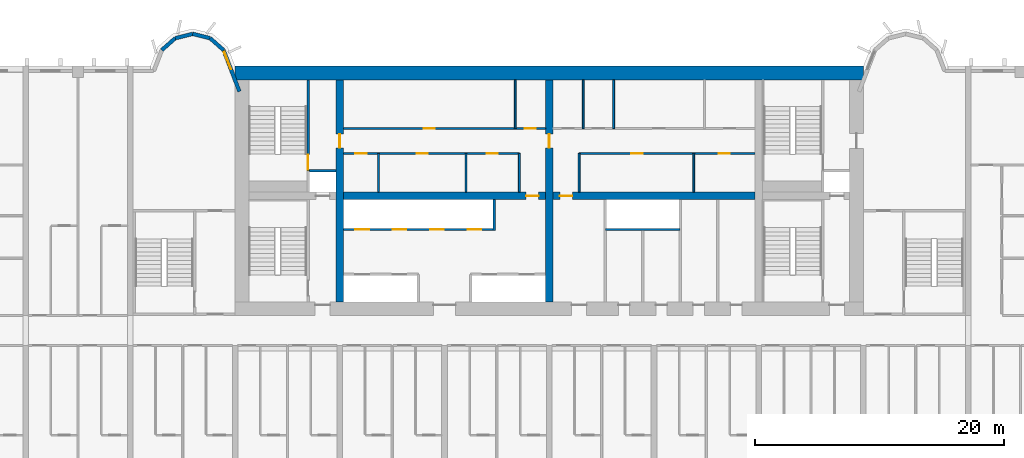
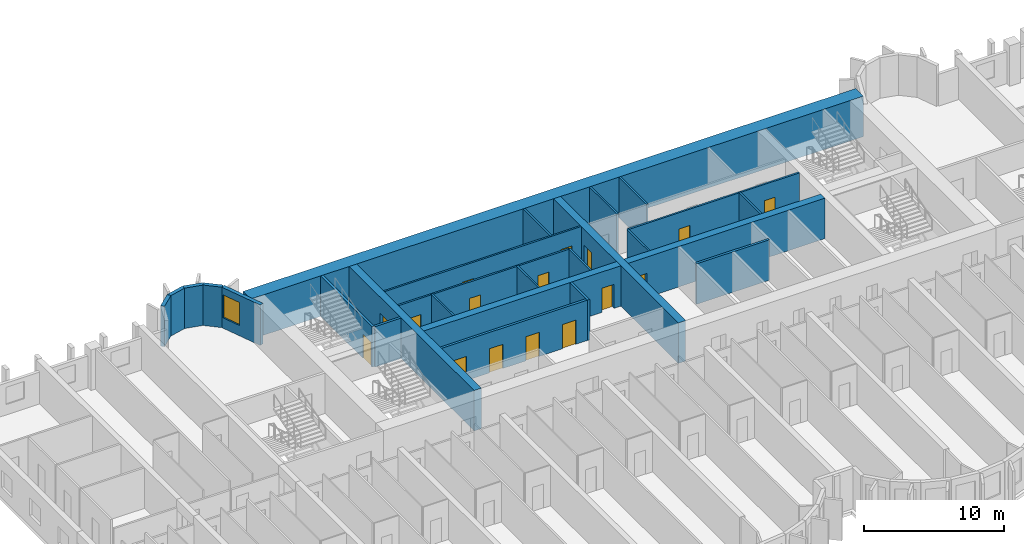
# One storey, part 7 of 15: 26 walls, 16 doors, 1 window, 17 openings.
"""IFC4 building model written with IfcOpenShell, lengths in metres."""

from ifc_helpers import new_model, si_unit, direction, frame, frame_2d, origin, place, context, subcontext, project, spatial, rectangle, extrude, source, transform, mapped, material, layer, layer_set, type_object, element, fill, save


model = new_model("IFC4")

# Units and contexts
model_context = context("Model", 3, precision=1e-05, world=origin(), true_north=direction((0.0, 1.0)))
body_context = subcontext(model_context, "Body", "Model", "MODEL_VIEW")
ifc_project = project(units=[si_unit("LENGTHUNIT", "METRE"), si_unit("AREAUNIT", "SQUARE_METRE"), si_unit("VOLUMEUNIT", "CUBIC_METRE"), si_unit("PLANEANGLEUNIT", "RADIAN"), si_unit("MASSUNIT", "GRAM", prefix="KILO")], contexts=[model_context])

# Site, building, storey
site_placement = place(None, origin())
site = spatial("IfcSite", under=ifc_project, at=site_placement, CompositionType="ELEMENT")
building_placement = place(site_placement, origin())
building = spatial("IfcBuilding", under=site, at=building_placement, Name="Vanashikhar Sky Hotel", CompositionType="ELEMENT")
storey_placement = place(building_placement, frame((0.0, 0.0, 35.39990234375)))
storey = spatial("IfcBuildingStorey", under=building, at=storey_placement, Name="L07", CompositionType="ELEMENT", Elevation=35.39990234375)

# Wall
ifc_material_1 = material(Name="Concrete M80", Category="concrete")
ifc_layer_1 = layer(ifc_material_1, 1.10009765625)
ifc_layer_set_1 = layer_set([ifc_layer_1], Name="RC core shell wall 1100 Concrete M80")
wall_type_1 = type_object("IfcWallType", Name="RC core shell wall 1100 Concrete M80", PredefinedType="SHEAR", material=ifc_layer_set_1)
shared_shape_1 = source(origin(), body_context, "Body", "SweptSolid", [
    extrude(rectangle(XDim=50.400146484375, YDim=1.10009765625, at=frame_2d((25.2001953125, 0.0))), origin(), (0.0, 0.0, 1.0), 3.52001953125),
])
wall_1_placement = place(storey_placement, frame((25.199951171875, 41.449951171875, 0.0), z_axis=(0.0, 0.0, 1.0), x_axis=(1.0, 0.0, 0.0)))
element("IfcWall", 1, at=wall_1_placement, inside=storey, type_object=wall_type_1, Name="KW-L07-KN", PredefinedType="SHEAR", context=body_context, shape_type="MappedRepresentation", body=[
    mapped(shared_shape_1, transform((0.0, 0.0, 0.0), scale=1.0)),
])

# Wall, opening, door
ifc_layer_2 = layer(ifc_material_1, 0.60009765625)
ifc_layer_set_2 = layer_set([ifc_layer_2], Name="RC core inner wall 600 Concrete M80")
wall_type_2 = type_object("IfcWallType", Name="RC core inner wall 600 Concrete M80", PredefinedType="SHEAR", material=ifc_layer_set_2)
shared_shape_2 = source(origin(), body_context, "Body", "SweptSolid", [
    extrude(rectangle(XDim=17.7998046875, YDim=0.60009765625, at=frame_2d((8.89990234375, 0.0))), origin(), (0.0, 0.0, 1.0), 3.52001953125),
])
wall_2_placement = place(storey_placement, frame((33.60009765625, 23.10009765625, 0.0), z_axis=(0.0, 0.0, 1.0), x_axis=(0.0, 1.0, 0.0)))
wall_2 = element("IfcWall", 2, at=wall_2_placement, inside=storey, type_object=wall_type_2, Name="KW-L07-KX1", PredefinedType="SHEAR", context=body_context, shape_type="MappedRepresentation", body=[
    mapped(shared_shape_2, transform((0.0, 0.0, 0.0), scale=1.0)),
])
shared_shape_3 = source(origin(), body_context, "Body", "SweptSolid", [
    extrude(rectangle(XDim=1.10009765625, YDim=2.10009765625, at=frame_2d((0.550048828125, 1.050048828125))), frame((0.0, 0.31005859375, 0.0), z_axis=(0.0, -1.0, 0.0), x_axis=(1.0, 0.0, 0.0)), (0.0, 0.0, 1.0), 0.6201171875),
])
opening_1_placement = place(wall_2_placement, frame((12.35009765625, 0.0, 0.0)))
opening_1 = element("IfcOpeningElement", 3, at=opening_1_placement, cuts=wall_2, Name="Opening DC-4-C", PredefinedType="OPENING", context=body_context, shape_type="MappedRepresentation", body=[
    mapped(shared_shape_3, transform((0.0, 0.0, 0.0), scale=1.0)),
])
ifc_material_2 = material(Name="Steel", Category="steel")
door_type_1 = type_object("IfcDoorType", Name="Service door 1100 FD60", OperationType="NOTDEFINED", PredefinedType="DOOR", material=ifc_material_2)
shared_shape_4 = source(origin(), body_context, "Body", "SweptSolid", [
    extrude(rectangle(XDim=1.10009765625, YDim=2.10009765625, at=frame_2d((0.550048828125, 1.050048828125))), frame((0.0, 0.02490234375, 0.0), z_axis=(0.0, -1.0, 0.0), x_axis=(1.0, 0.0, 0.0)), (0.0, 0.0, 1.0), 0.050048828125),
])
door_1_placement = place(opening_1_placement, origin())
door_1 = element("IfcDoor", 4, at=door_1_placement, inside=storey, type_object=door_type_1, Name="Service door 1100 FD60", OperationType="SINGLE_SWING_LEFT", OverallHeight=2.10009765625, OverallWidth=1.10009765625, PredefinedType="DOOR", context=body_context, shape_type="MappedRepresentation", body=[
    mapped(shared_shape_4, transform((0.0, 0.0, 0.0), scale=1.0)),
])
fill(opening_1, door_1)

wall_3_placement = place(storey_placement, frame((50.39990234375, 23.10009765625, 0.0), z_axis=(0.0, 0.0, 1.0), x_axis=(0.0, 1.0, 0.0)))
wall_3 = element("IfcWall", 5, at=wall_3_placement, inside=storey, type_object=wall_type_2, Name="KW-L07-KX2", PredefinedType="SHEAR", context=body_context, shape_type="MappedRepresentation", body=[
    mapped(shared_shape_2, transform((0.0, 0.0, 0.0), scale=1.0)),
])
opening_2_placement = place(wall_3_placement, frame((12.35009765625, 0.0, 0.0)))
opening_2 = element("IfcOpeningElement", 6, at=opening_2_placement, cuts=wall_3, Name="Opening DC-4-C", PredefinedType="OPENING", context=body_context, shape_type="MappedRepresentation", body=[
    mapped(shared_shape_3, transform((0.0, 0.0, 0.0), scale=1.0)),
])
door_2_placement = place(opening_2_placement, origin())
door_2 = element("IfcDoor", 7, at=door_2_placement, inside=storey, type_object=door_type_1, Name="Service door 1100 FD60", OperationType="SINGLE_SWING_RIGHT", OverallHeight=2.10009765625, OverallWidth=1.10009765625, PredefinedType="DOOR", context=body_context, shape_type="MappedRepresentation", body=[
    mapped(shared_shape_4, transform((0.0, 0.0, 0.0), scale=1.0)),
])
fill(opening_2, door_2)

shared_shape_5 = source(origin(), body_context, "Body", "SweptSolid", [
    extrude(rectangle(XDim=16.2001953125, YDim=0.60009765625, at=frame_2d((8.10009765625, 0.0))), origin(), (0.0, 0.0, 1.0), 3.52001953125),
])
wall_4_placement = place(storey_placement, frame((33.89990234375, 31.60009765625, 0.0), z_axis=(0.0, 0.0, 1.0), x_axis=(1.0, 0.0, 0.0)))
wall_4 = element("IfcWall", 8, at=wall_4_placement, inside=storey, type_object=wall_type_2, Name="KW-L07-KY2", PredefinedType="SHEAR", context=body_context, shape_type="MappedRepresentation", body=[
    mapped(shared_shape_5, transform((0.0, 0.0, 0.0), scale=1.0)),
])
shared_shape_6 = source(origin(), body_context, "Body", "SweptSolid", [
    extrude(rectangle(XDim=1.0, YDim=2.10009765625, at=frame_2d((0.5, 1.050048828125))), frame((0.0, 0.31005859375, 0.0), z_axis=(0.0, -1.0, 0.0), x_axis=(1.0, 0.0, 0.0)), (0.0, 0.0, 1.0), 0.6201171875),
])
opening_3_placement = place(wall_4_placement, frame((14.64990234375, 0.0, 0.0)))
opening_3 = element("IfcOpeningElement", 9, at=opening_3_placement, cuts=wall_4, Name="Opening DC-4", PredefinedType="OPENING", context=body_context, shape_type="MappedRepresentation", body=[
    mapped(shared_shape_6, transform((0.0, 0.0, 0.0), scale=1.0)),
])
door_type_2 = type_object("IfcDoorType", Name="Service door 1000 FD60", OperationType="NOTDEFINED", PredefinedType="DOOR", material=ifc_material_2)
shared_shape_7 = source(origin(), body_context, "Body", "SweptSolid", [
    extrude(rectangle(XDim=1.0, YDim=2.10009765625, at=frame_2d((0.5, 1.050048828125))), frame((0.0, 0.02490234375, 0.0), z_axis=(0.0, -1.0, 0.0), x_axis=(1.0, 0.0, 0.0)), (0.0, 0.0, 1.0), 0.050048828125),
])
door_3_placement = place(opening_3_placement, origin())
door_3 = element("IfcDoor", 10, at=door_3_placement, inside=storey, type_object=door_type_2, Name="Service door 1000 FD60", OperationType="SINGLE_SWING_RIGHT", OverallHeight=2.10009765625, OverallWidth=1.0, PredefinedType="DOOR", context=body_context, shape_type="MappedRepresentation", body=[
    mapped(shared_shape_7, transform((0.0, 0.0, 0.0), scale=1.0)),
])
fill(opening_3, door_3)

shared_shape_8 = source(origin(), body_context, "Body", "SweptSolid", [
    extrude(rectangle(XDim=16.199951171875, YDim=0.60009765625, at=frame_2d((8.10009765625, 0.0))), origin(), (0.0, 0.0, 1.0), 3.52001953125),
])
wall_5_placement = place(storey_placement, frame((50.699951171875, 31.60009765625, 0.0), z_axis=(0.0, 0.0, 1.0), x_axis=(1.0, 0.0, 0.0)))
wall_5 = element("IfcWall", 11, at=wall_5_placement, inside=storey, type_object=wall_type_2, Name="KW-L07-KY3", PredefinedType="SHEAR", context=body_context, shape_type="MappedRepresentation", body=[
    mapped(shared_shape_8, transform((0.0, 0.0, 0.0), scale=1.0)),
])
opening_4_placement = place(wall_5_placement, frame((0.550048828125, 0.0, 0.0)))
opening_4 = element("IfcOpeningElement", 12, at=opening_4_placement, cuts=wall_5, Name="Opening DC-4", PredefinedType="OPENING", context=body_context, shape_type="MappedRepresentation", body=[
    mapped(shared_shape_6, transform((0.0, 0.0, 0.0), scale=1.0)),
])
door_4_placement = place(opening_4_placement, origin())
door_4 = element("IfcDoor", 13, at=door_4_placement, inside=storey, type_object=door_type_2, Name="Service door 1000 FD60", OperationType="SINGLE_SWING_LEFT", OverallHeight=2.10009765625, OverallWidth=1.0, PredefinedType="DOOR", context=body_context, shape_type="MappedRepresentation", body=[
    mapped(shared_shape_7, transform((0.0, 0.0, 0.0), scale=1.0)),
])
fill(opening_4, door_4)

# Wall, opening, window
ifc_material_3 = material(Name="Concrete M50", Category="concrete")
ifc_layer_3 = layer(ifc_material_3, 0.300048828125)
ifc_layer_set_3 = layer_set([ifc_layer_3], Name="Lobe wall 300")
wall_type_3 = type_object("IfcWallType", Name="Lobe wall 300", PredefinedType="SOLIDWALL", material=ifc_layer_set_3)
shared_shape_9 = source(origin(), body_context, "Body", "SweptSolid", [
    extrude(rectangle(XDim=3.55908203125, YDim=0.300048828125, at=frame_2d((1.779541015625, 0.0))), origin(), (0.0, 0.0, 1.0), 3.52001953125),
])
wall_6_placement = place(storey_placement, frame((25.550048828125, 39.968505859375, 0.0), z_axis=(0.0, 0.0, 1.0), x_axis=(-0.35779745313, 0.933799219604, 0.0)))
wall_6 = element("IfcWall", 14, at=wall_6_placement, inside=storey, type_object=wall_type_3, Name="Lobe wall", PredefinedType="SOLIDWALL", context=body_context, shape_type="MappedRepresentation", body=[
    mapped(shared_shape_9, transform((0.0, 0.0, 0.0), scale=1.0)),
])
shared_shape_10 = source(origin(), body_context, "Body", "SweptSolid", [
    extrude(rectangle(XDim=1.5, YDim=2.0, at=frame_2d((0.75, 1.0))), frame((0.0, 0.16015625, 0.0), z_axis=(0.0, -1.0, 0.0), x_axis=(1.0, 0.0, 0.0)), (0.0, 0.0, 1.0), 0.320068359375),
])
opening_5_placement = place(wall_6_placement, frame((1.9033203125, 0.0, 0.89990234375)))
opening_5 = element("IfcOpeningElement", 15, at=opening_5_placement, cuts=wall_6, Name="Opening WN-2", PredefinedType="OPENING", context=body_context, shape_type="MappedRepresentation", body=[
    mapped(shared_shape_10, transform((0.0, 0.0, 0.0), scale=1.0)),
])
ifc_material_4 = material(Name="Glass", Category="glass")
window_type = type_object("IfcWindowType", Name="Lobe window 1500 x 2000", PartitioningType="SINGLE_PANEL", PredefinedType="WINDOW", material=ifc_material_4)
shared_shape_11 = source(origin(), body_context, "Body", "SweptSolid", [
    extrude(rectangle(XDim=1.5, YDim=2.0, at=frame_2d((0.75, 1.0))), frame((0.0, 0.030029296875, 0.0), z_axis=(0.0, -1.0, 0.0), x_axis=(1.0, 0.0, 0.0)), (0.0, 0.0, 1.0), 0.06005859375),
])
window_placement = place(opening_5_placement, origin())
window = element("IfcWindow", 16, at=window_placement, inside=storey, type_object=window_type, Name="Window WN-2", OverallHeight=2.0, OverallWidth=1.5, PartitioningType="SINGLE_PANEL", PredefinedType="WINDOW", context=body_context, shape_type="MappedRepresentation", body=[
    mapped(shared_shape_11, transform((0.0, 0.0, 0.0), scale=1.0)),
])
fill(opening_5, window)

# Walls
shared_shape_12 = source(origin(), body_context, "Body", "SweptSolid", [
    extrude(rectangle(XDim=1.440185546875, YDim=0.300048828125, at=frame_2d((0.72021484375, 0.0))), origin(), (0.0, 0.0, 1.0), 3.52001953125),
])
wall_7_placement = place(storey_placement, frame((24.276611328125, 43.2919921875, 0.0), z_axis=(0.0, 0.0, 1.0), x_axis=(-0.749649827867, 0.661834673902, 0.0)))
element("IfcWall", 17, at=wall_7_placement, inside=storey, type_object=wall_type_3, Name="Lobe wall", PredefinedType="SOLIDWALL", context=body_context, shape_type="MappedRepresentation", body=[
    mapped(shared_shape_12, transform((0.0, 0.0, 0.0), scale=1.0)),
])
shared_shape_13 = source(origin(), body_context, "Body", "SweptSolid", [
    extrude(rectangle(XDim=1.4384765625, YDim=0.300048828125, at=frame_2d((0.71923828125, 0.0))), origin(), (0.0, 0.0, 1.0), 3.52001953125),
])
wall_8_placement = place(storey_placement, frame((23.197021484375, 44.2451171875, 0.0), z_axis=(0.0, 0.0, 1.0), x_axis=(-0.971152283879, 0.238460146601, 0.0)))
element("IfcWall", 18, at=wall_8_placement, inside=storey, type_object=wall_type_3, Name="Lobe wall", PredefinedType="SOLIDWALL", context=body_context, shape_type="MappedRepresentation", body=[
    mapped(shared_shape_13, transform((0.0, 0.0, 0.0), scale=1.0)),
])
shared_shape_14 = source(origin(), body_context, "Body", "SweptSolid", [
    extrude(rectangle(XDim=1.438720703125, YDim=0.300048828125, at=frame_2d((0.71923828125, 0.0))), origin(), (0.0, 0.0, 1.0), 3.52001953125),
])
wall_9_placement = place(storey_placement, frame((21.800048828125, 44.588134765625, 0.0), z_axis=(0.0, 0.0, 1.0), x_axis=(-0.971161932466, -0.238420848351, 0.0)))
element("IfcWall", 19, at=wall_9_placement, inside=storey, type_object=wall_type_3, Name="Lobe wall", PredefinedType="SOLIDWALL", context=body_context, shape_type="MappedRepresentation", body=[
    mapped(shared_shape_14, transform((0.0, 0.0, 0.0), scale=1.0)),
])
shared_shape_15 = source(origin(), body_context, "Body", "SweptSolid", [
    extrude(rectangle(XDim=1.43994140625, YDim=0.300048828125, at=frame_2d((0.719970703125, 0.0))), origin(), (0.0, 0.0, 1.0), 3.52001953125),
])
wall_10_placement = place(storey_placement, frame((20.40283203125, 44.2451171875, 0.0), z_axis=(0.0, 0.0, 1.0), x_axis=(-0.74957555648, -0.661918790432, 0.0)))
element("IfcWall", 20, at=wall_10_placement, inside=storey, type_object=wall_type_3, Name="Lobe wall", PredefinedType="SOLIDWALL", context=body_context, shape_type="MappedRepresentation", body=[
    mapped(shared_shape_15, transform((0.0, 0.0, 0.0), scale=1.0)),
])
ifc_material_5 = material(Name="Concrete M40", Category="concrete")
ifc_layer_4 = layer(ifc_material_5, 0.199951171875)
ifc_layer_set_4 = layer_set([ifc_layer_4], Name="Shaft wall 200")
wall_type_4 = type_object("IfcWallType", Name="Shaft wall 200", PredefinedType="SOLIDWALL", material=ifc_layer_set_4)
shared_shape_16 = source(origin(), body_context, "Body", "SweptSolid", [
    extrude(rectangle(XDim=6.0, YDim=0.199951171875, at=frame_2d((3.0, 0.0))), origin(), (0.0, 0.0, 1.0), 3.52001953125),
])
wall_11_placement = place(storey_placement, frame((60.89990234375, 28.89990234375, 0.0), z_axis=(0.0, 0.0, 1.0), x_axis=(-1.0, 0.0, 0.0)))
element("IfcWall", 21, at=wall_11_placement, inside=storey, type_object=wall_type_4, Name="Shaft wall 200", PredefinedType="SOLIDWALL", context=body_context, shape_type="MappedRepresentation", body=[
    mapped(shared_shape_16, transform((0.0, 0.0, 0.0), scale=1.0)),
])

# Wall, openings, doors
shared_shape_17 = source(origin(), body_context, "Body", "SweptSolid", [
    extrude(rectangle(XDim=12.0, YDim=0.199951171875, at=frame_2d((6.0, 0.0))), origin(), (0.0, 0.0, 1.0), 3.52001953125),
])
wall_12_placement = place(storey_placement, frame((33.89990234375, 28.89990234375, 0.0), z_axis=(0.0, 0.0, 1.0), x_axis=(1.0, 0.0, 0.0)))
wall_12 = element("IfcWall", 22, at=wall_12_placement, inside=storey, type_object=wall_type_4, Name="Shaft wall 200", PredefinedType="SOLIDWALL", context=body_context, shape_type="MappedRepresentation", body=[
    mapped(shared_shape_17, transform((0.0, 0.0, 0.0), scale=1.0)),
])
shared_shape_18 = source(origin(), body_context, "Body", "SweptSolid", [
    extrude(rectangle(XDim=1.10009765625, YDim=2.10009765625, at=frame_2d((0.550048828125, 1.050048828125))), frame((0.0, 0.10986328125, 0.0), z_axis=(0.0, -1.0, 0.0), x_axis=(1.0, 0.0, 0.0)), (0.0, 0.0, 1.0), 0.219970703125),
])
opening_6_placement = place(wall_12_placement, frame((0.949951171875, 0.0, 0.0)))
opening_6 = element("IfcOpeningElement", 23, at=opening_6_placement, cuts=wall_12, Name="Opening LD", PredefinedType="OPENING", context=body_context, shape_type="MappedRepresentation", body=[
    mapped(shared_shape_18, transform((0.0, 0.0, 0.0), scale=1.0)),
])
opening_7_placement = place(wall_12_placement, frame((3.949951171875, 0.0, 0.0)))
opening_7 = element("IfcOpeningElement", 24, at=opening_7_placement, cuts=wall_12, Name="Opening LD", PredefinedType="OPENING", context=body_context, shape_type="MappedRepresentation", body=[
    mapped(shared_shape_18, transform((0.0, 0.0, 0.0), scale=1.0)),
])
opening_8_placement = place(wall_12_placement, frame((6.949951171875, 0.0, 0.0)))
opening_8 = element("IfcOpeningElement", 25, at=opening_8_placement, cuts=wall_12, Name="Opening LD", PredefinedType="OPENING", context=body_context, shape_type="MappedRepresentation", body=[
    mapped(shared_shape_18, transform((0.0, 0.0, 0.0), scale=1.0)),
])
opening_9_placement = place(wall_12_placement, frame((9.949951171875, 0.0, 0.0)))
opening_9 = element("IfcOpeningElement", 26, at=opening_9_placement, cuts=wall_12, Name="Opening LD", PredefinedType="OPENING", context=body_context, shape_type="MappedRepresentation", body=[
    mapped(shared_shape_18, transform((0.0, 0.0, 0.0), scale=1.0)),
])
ifc_material_6 = material(Name="Stainless steel", Category="steel")
door_type_3 = type_object("IfcDoorType", Name="Lift landing door 1100", OperationType="NOTDEFINED", PredefinedType="DOOR", material=ifc_material_6)
door_5_placement = place(opening_6_placement, origin())
door_5 = element("IfcDoor", 27, at=door_5_placement, inside=storey, type_object=door_type_3, Name="Lift landing door 1100", OperationType="SLIDING_TO_LEFT", OverallHeight=2.10009765625, OverallWidth=1.10009765625, PredefinedType="DOOR", context=body_context, shape_type="MappedRepresentation", body=[
    mapped(shared_shape_4, transform((0.0, 0.0, 0.0), scale=1.0)),
])
fill(opening_6, door_5)
door_6_placement = place(opening_7_placement, origin())
door_6 = element("IfcDoor", 28, at=door_6_placement, inside=storey, type_object=door_type_3, Name="Lift landing door 1100", OperationType="SLIDING_TO_RIGHT", OverallHeight=2.10009765625, OverallWidth=1.10009765625, PredefinedType="DOOR", context=body_context, shape_type="MappedRepresentation", body=[
    mapped(shared_shape_4, transform((0.0, 0.0, 0.0), scale=1.0)),
])
fill(opening_7, door_6)
door_7_placement = place(opening_8_placement, origin())
door_7 = element("IfcDoor", 29, at=door_7_placement, inside=storey, type_object=door_type_3, Name="Lift landing door 1100", OperationType="SLIDING_TO_LEFT", OverallHeight=2.10009765625, OverallWidth=1.10009765625, PredefinedType="DOOR", context=body_context, shape_type="MappedRepresentation", body=[
    mapped(shared_shape_4, transform((0.0, 0.0, 0.0), scale=1.0)),
])
fill(opening_8, door_7)
door_8_placement = place(opening_9_placement, origin())
door_8 = element("IfcDoor", 30, at=door_8_placement, inside=storey, type_object=door_type_3, Name="Lift landing door 1100", OperationType="SLIDING_TO_RIGHT", OverallHeight=2.10009765625, OverallWidth=1.10009765625, PredefinedType="DOOR", context=body_context, shape_type="MappedRepresentation", body=[
    mapped(shared_shape_4, transform((0.0, 0.0, 0.0), scale=1.0)),
])
fill(opening_9, door_8)

# Walls
shared_shape_19 = source(origin(), body_context, "Body", "SweptSolid", [
    extrude(rectangle(XDim=2.5, YDim=0.199951171875, at=frame_2d((1.25, 0.0))), origin(), (0.0, 0.0, 1.0), 3.52001953125),
])
wall_13_placement = place(storey_placement, frame((46.0, 28.800048828125, 0.0), z_axis=(0.0, 0.0, 1.0), x_axis=(0.0, 1.0, 0.0)))
element("IfcWall", 31, at=wall_13_placement, inside=storey, type_object=wall_type_4, Name="Shaft wall 200", PredefinedType="SOLIDWALL", context=body_context, shape_type="MappedRepresentation", body=[
    mapped(shared_shape_19, transform((0.0, 0.0, 0.0), scale=1.0)),
])
ifc_material_7 = material(Name="Gypsum board partition")
ifc_layer_5 = layer(ifc_material_7, 0.14990234375)
ifc_layer_set_5 = layer_set([ifc_layer_5], Name="Service partition 150")
wall_type_5 = type_object("IfcWallType", Name="Service partition 150", PredefinedType="PARTITIONING", material=ifc_layer_set_5)
shared_shape_20 = source(origin(), body_context, "Body", "SweptSolid", [
    extrude(rectangle(XDim=3.10009765625, YDim=0.14990234375, at=frame_2d((1.550048828125, 0.0))), origin(), (0.0, 0.0, 1.0), 3.52001953125),
])
for number, where, z_axis, x_axis, name in (
    (32, (48.0, 31.89990234375, 0.0), (0.0, 0.0, 1.0), (0.0, 1.0, 0.0), "Service partition 150"),
    (33, (36.705078125, 31.89990234375, 0.0), (0.0, 0.0, 1.0), (0.0, 1.0, 0.0), "Service partition 150"),
    (34, (43.718017578125, 31.89990234375, 0.0), (0.0, 0.0, 1.0), (0.0, 1.0, 0.0), "Service partition 150"),
    (35, (52.800048828125, 31.89990234375, 0.0), (0.0, 0.0, 1.0), (0.0, 1.0, 0.0), "Service partition 150"),
    (36, (61.990966796875, 31.89990234375, 0.0), (0.0, 0.0, 1.0), (0.0, 1.0, 0.0), "Service partition 150"),
):
    element("IfcWall", number, at=place(storey_placement, frame(where, z_axis=z_axis, x_axis=x_axis)), inside=storey, type_object=wall_type_5, Name=name, PredefinedType="PARTITIONING", context=body_context, shape_type="MappedRepresentation", body=[
        mapped(shared_shape_20, transform((0.0, 0.0, 0.0), scale=1.0)),
    ])

# Wall, openings, doors
shared_shape_21 = source(origin(), body_context, "Body", "SweptSolid", [
    extrude(rectangle(XDim=14.10009765625, YDim=0.14990234375, at=frame_2d((7.050048828125, 0.0))), origin(), (0.0, 0.0, 1.0), 3.52001953125),
])
wall_14_placement = place(storey_placement, frame((33.89990234375, 35.0, 0.0), z_axis=(0.0, 0.0, 1.0), x_axis=(1.0, 0.0, 0.0)))
wall_14 = element("IfcWall", 37, at=wall_14_placement, inside=storey, type_object=wall_type_5, Name="Service partition 150", PredefinedType="PARTITIONING", context=body_context, shape_type="MappedRepresentation", body=[
    mapped(shared_shape_21, transform((0.0, 0.0, 0.0), scale=1.0)),
])
shared_shape_22 = source(origin(), body_context, "Body", "SweptSolid", [
    extrude(rectangle(XDim=0.89990234375, YDim=2.10009765625, at=frame_2d((0.449951171875, 1.050048828125))), frame((0.0, 0.0849609375, 0.0), z_axis=(0.0, -1.0, 0.0), x_axis=(1.0, 0.0, 0.0)), (0.0, 0.0, 1.0), 0.169921875),
])
opening_10_placement = place(wall_14_placement, frame((0.951904296875, 0.0, 0.0)))
opening_10 = element("IfcOpeningElement", 38, at=opening_10_placement, cuts=wall_14, Name="Opening DC-4-A", PredefinedType="OPENING", context=body_context, shape_type="MappedRepresentation", body=[
    mapped(shared_shape_22, transform((0.0, 0.0, 0.0), scale=1.0)),
])
opening_11_placement = place(wall_14_placement, frame((5.861083984375, 0.0, 0.0)))
opening_11 = element("IfcOpeningElement", 39, at=opening_11_placement, cuts=wall_14, Name="Opening DC-4-A", PredefinedType="OPENING", context=body_context, shape_type="MappedRepresentation", body=[
    mapped(shared_shape_22, transform((0.0, 0.0, 0.0), scale=1.0)),
])
opening_12_placement = place(wall_14_placement, frame((11.470947265625, 0.0, 0.0)))
opening_12 = element("IfcOpeningElement", 40, at=opening_12_placement, cuts=wall_14, Name="Opening DC-4-A", PredefinedType="OPENING", context=body_context, shape_type="MappedRepresentation", body=[
    mapped(shared_shape_22, transform((0.0, 0.0, 0.0), scale=1.0)),
])
door_type_4 = type_object("IfcDoorType", Name="Service door 900 FD60", OperationType="NOTDEFINED", PredefinedType="DOOR", material=ifc_material_2)
shared_shape_23 = source(origin(), body_context, "Body", "SweptSolid", [
    extrude(rectangle(XDim=0.89990234375, YDim=2.10009765625, at=frame_2d((0.449951171875, 1.050048828125))), frame((0.0, 0.02490234375, 0.0), z_axis=(0.0, -1.0, 0.0), x_axis=(1.0, 0.0, 0.0)), (0.0, 0.0, 1.0), 0.050048828125),
])
door_9_placement = place(opening_10_placement, origin())
door_9 = element("IfcDoor", 41, at=door_9_placement, inside=storey, type_object=door_type_4, Name="Service door 900 FD60", OperationType="SINGLE_SWING_RIGHT", OverallHeight=2.10009765625, OverallWidth=0.89990234375, PredefinedType="DOOR", context=body_context, shape_type="MappedRepresentation", body=[
    mapped(shared_shape_23, transform((0.0, 0.0, 0.0), scale=1.0)),
])
fill(opening_10, door_9)
door_10_placement = place(opening_11_placement, origin())
door_10 = element("IfcDoor", 42, at=door_10_placement, inside=storey, type_object=door_type_4, Name="Service door 900 FD60", OperationType="SINGLE_SWING_RIGHT", OverallHeight=2.10009765625, OverallWidth=0.89990234375, PredefinedType="DOOR", context=body_context, shape_type="MappedRepresentation", body=[
    mapped(shared_shape_23, transform((0.0, 0.0, 0.0), scale=1.0)),
])
fill(opening_11, door_10)
door_11_placement = place(opening_12_placement, origin())
door_11 = element("IfcDoor", 43, at=door_11_placement, inside=storey, type_object=door_type_4, Name="Service door 900 FD60", OperationType="SINGLE_SWING_LEFT", OverallHeight=2.10009765625, OverallWidth=0.89990234375, PredefinedType="DOOR", context=body_context, shape_type="MappedRepresentation", body=[
    mapped(shared_shape_23, transform((0.0, 0.0, 0.0), scale=1.0)),
])
fill(opening_12, door_11)

shared_shape_24 = source(origin(), body_context, "Body", "SweptSolid", [
    extrude(rectangle(XDim=16.2001953125, YDim=0.14990234375, at=frame_2d((8.10009765625, 0.0))), origin(), (0.0, 0.0, 1.0), 3.52001953125),
])
wall_15_placement = place(storey_placement, frame((33.89990234375, 37.0, 0.0), z_axis=(0.0, 0.0, 1.0), x_axis=(1.0, 0.0, 0.0)))
wall_15 = element("IfcWall", 44, at=wall_15_placement, inside=storey, type_object=wall_type_5, Name="Service partition 150", PredefinedType="PARTITIONING", context=body_context, shape_type="MappedRepresentation", body=[
    mapped(shared_shape_24, transform((0.0, 0.0, 0.0), scale=1.0)),
])
opening_13_placement = place(wall_15_placement, frame((6.43505859375, 0.0, 0.0)))
opening_13 = element("IfcOpeningElement", 45, at=opening_13_placement, cuts=wall_15, Name="Opening DC-4-A", PredefinedType="OPENING", context=body_context, shape_type="MappedRepresentation", body=[
    mapped(shared_shape_22, transform((0.0, 0.0, 0.0), scale=1.0)),
])
opening_14_placement = place(wall_15_placement, frame((14.534912109375, 0.0, 0.0)))
opening_14 = element("IfcOpeningElement", 46, at=opening_14_placement, cuts=wall_15, Name="Opening DC-4-A", PredefinedType="OPENING", context=body_context, shape_type="MappedRepresentation", body=[
    mapped(shared_shape_22, transform((0.0, 0.0, 0.0), scale=1.0)),
])
door_12_placement = place(opening_13_placement, origin())
door_12 = element("IfcDoor", 47, at=door_12_placement, inside=storey, type_object=door_type_4, Name="Service door 900 FD60", OperationType="SINGLE_SWING_RIGHT", OverallHeight=2.10009765625, OverallWidth=0.89990234375, PredefinedType="DOOR", context=body_context, shape_type="MappedRepresentation", body=[
    mapped(shared_shape_23, transform((0.0, 0.0, 0.0), scale=1.0)),
])
fill(opening_13, door_12)
door_13_placement = place(opening_14_placement, origin())
door_13 = element("IfcDoor", 48, at=door_13_placement, inside=storey, type_object=door_type_4, Name="Service door 900 FD60", OperationType="SINGLE_SWING_RIGHT", OverallHeight=2.10009765625, OverallWidth=0.89990234375, PredefinedType="DOOR", context=body_context, shape_type="MappedRepresentation", body=[
    mapped(shared_shape_23, transform((0.0, 0.0, 0.0), scale=1.0)),
])
fill(opening_14, door_13)

# Walls
shared_shape_25 = source(origin(), body_context, "Body", "SweptSolid", [
    extrude(rectangle(XDim=3.89990234375, YDim=0.14990234375, at=frame_2d((1.949951171875, 0.0))), origin(), (0.0, 0.0, 1.0), 3.52001953125),
])
for number, where, z_axis, x_axis, name in (
    (49, (47.669921875, 37.0, 0.0), (0.0, 0.0, 1.0), (0.0, 1.0, 0.0), "Service partition 150"),
    (50, (55.56005859375, 37.0, 0.0), (0.0, 0.0, 1.0), (0.0, 1.0, 0.0), "Service partition 150"),
    (51, (53.1298828125, 37.0, 0.0), (0.0, 0.0, 1.0), (0.0, 1.0, 0.0), "Service partition 150"),
):
    element("IfcWall", number, at=place(storey_placement, frame(where, z_axis=z_axis, x_axis=x_axis)), inside=storey, type_object=wall_type_5, Name=name, PredefinedType="PARTITIONING", context=body_context, shape_type="MappedRepresentation", body=[
        mapped(shared_shape_25, transform((0.0, 0.0, 0.0), scale=1.0)),
    ])

# Wall, openings, doors
shared_shape_26 = source(origin(), body_context, "Body", "SweptSolid", [
    extrude(rectangle(XDim=14.099853515625, YDim=0.14990234375, at=frame_2d((7.0498046875, 0.0))), origin(), (0.0, 0.0, 1.0), 3.52001953125),
])
wall_16_placement = place(storey_placement, frame((66.89990234375, 35.0, 0.0), z_axis=(0.0, 0.0, 1.0), x_axis=(-1.0, 0.0, 0.0)))
wall_16 = element("IfcWall", 52, at=wall_16_placement, inside=storey, type_object=wall_type_5, Name="Service partition 150", PredefinedType="PARTITIONING", context=body_context, shape_type="MappedRepresentation", body=[
    mapped(shared_shape_26, transform((0.0, 0.0, 0.0), scale=1.0)),
])
opening_15_placement = place(wall_16_placement, frame((2.00390625, 0.0, 0.0)))
opening_15 = element("IfcOpeningElement", 53, at=opening_15_placement, cuts=wall_16, Name="Opening DC-4-A", PredefinedType="OPENING", context=body_context, shape_type="MappedRepresentation", body=[
    mapped(shared_shape_22, transform((0.0, 0.0, 0.0), scale=1.0)),
])
opening_16_placement = place(wall_16_placement, frame((9.01708984375, 0.0, 0.0)))
opening_16 = element("IfcOpeningElement", 54, at=opening_16_placement, cuts=wall_16, Name="Opening DC-4-A", PredefinedType="OPENING", context=body_context, shape_type="MappedRepresentation", body=[
    mapped(shared_shape_22, transform((0.0, 0.0, 0.0), scale=1.0)),
])
door_14_placement = place(opening_15_placement, origin())
door_14 = element("IfcDoor", 55, at=door_14_placement, inside=storey, type_object=door_type_4, Name="Service door 900 FD60", OperationType="SINGLE_SWING_RIGHT", OverallHeight=2.10009765625, OverallWidth=0.89990234375, PredefinedType="DOOR", context=body_context, shape_type="MappedRepresentation", body=[
    mapped(shared_shape_23, transform((0.0, 0.0, 0.0), scale=1.0)),
])
fill(opening_15, door_14)
door_15_placement = place(opening_16_placement, origin())
door_15 = element("IfcDoor", 56, at=door_15_placement, inside=storey, type_object=door_type_4, Name="Service door 900 FD60", OperationType="SINGLE_SWING_LEFT", OverallHeight=2.10009765625, OverallWidth=0.89990234375, PredefinedType="DOOR", context=body_context, shape_type="MappedRepresentation", body=[
    mapped(shared_shape_23, transform((0.0, 0.0, 0.0), scale=1.0)),
])
fill(opening_16, door_15)

# Wall
shared_shape_27 = source(origin(), body_context, "Body", "SweptSolid", [
    extrude(rectangle(XDim=2.150146484375, YDim=0.199951171875, at=frame_2d((1.0751953125, 0.0))), origin(), (0.0, 0.0, 1.0), 3.52001953125),
])
wall_17_placement = place(storey_placement, frame((31.14990234375, 33.60009765625, 0.0), z_axis=(0.0, 0.0, 1.0), x_axis=(1.0, 0.0, 0.0)))
element("IfcWall", 57, at=wall_17_placement, inside=storey, type_object=wall_type_4, Name="Shaft wall 200", PredefinedType="SOLIDWALL", context=body_context, shape_type="MappedRepresentation", body=[
    mapped(shared_shape_27, transform((0.0, 0.0, 0.0), scale=1.0)),
])

# Wall, opening, door
ifc_layer_6 = layer(ifc_material_3, 0.199951171875)
ifc_layer_set_6 = layer_set([ifc_layer_6], Name="Stair wall 200")
wall_type_6 = type_object("IfcWallType", Name="Stair wall 200", PredefinedType="SOLIDWALL", material=ifc_layer_set_6)
shared_shape_28 = source(origin(), body_context, "Body", "SweptSolid", [
    extrude(rectangle(XDim=7.2998046875, YDim=0.199951171875, at=frame_2d((3.64990234375, 0.0))), origin(), (0.0, 0.0, 1.0), 3.52001953125),
])
wall_18_placement = place(storey_placement, frame((31.050048828125, 33.60009765625, 0.0), z_axis=(0.0, 0.0, 1.0), x_axis=(0.0, 1.0, 0.0)))
wall_18 = element("IfcWall", 58, at=wall_18_placement, inside=storey, type_object=wall_type_6, Name="Stair wall 200", PredefinedType="SOLIDWALL", context=body_context, shape_type="MappedRepresentation", body=[
    mapped(shared_shape_28, transform((0.0, 0.0, 0.0), scale=1.0)),
])
shared_shape_29 = source(origin(), body_context, "Body", "SweptSolid", [
    extrude(rectangle(XDim=1.199951171875, YDim=2.10009765625, at=frame_2d((0.60009765625, 1.050048828125))), frame((0.0, 0.10986328125, 0.0), z_axis=(0.0, -1.0, 0.0), x_axis=(1.0, 0.0, 0.0)), (0.0, 0.0, 1.0), 0.219970703125),
])
opening_17_placement = place(wall_18_placement, frame((0.10009765625, 0.0, 0.0)))
opening_17 = element("IfcOpeningElement", 59, at=opening_17_placement, cuts=wall_18, Name="Opening DC-1", PredefinedType="OPENING", context=body_context, shape_type="MappedRepresentation", body=[
    mapped(shared_shape_29, transform((0.0, 0.0, 0.0), scale=1.0)),
])
door_type_5 = type_object("IfcDoorType", Name="Stair door 1200 FD120", OperationType="NOTDEFINED", PredefinedType="DOOR", material=ifc_material_2)
shared_shape_30 = source(origin(), body_context, "Body", "SweptSolid", [
    extrude(rectangle(XDim=1.199951171875, YDim=2.10009765625, at=frame_2d((0.60009765625, 1.050048828125))), frame((0.0, 0.02490234375, 0.0), z_axis=(0.0, -1.0, 0.0), x_axis=(1.0, 0.0, 0.0)), (0.0, 0.0, 1.0), 0.050048828125),
])
door_16_placement = place(opening_17_placement, origin())
door_16 = element("IfcDoor", 60, at=door_16_placement, inside=storey, type_object=door_type_5, Name="Stair door 1200 FD120", OperationType="SINGLE_SWING_RIGHT", OverallHeight=2.10009765625, OverallWidth=1.199951171875, PredefinedType="DOOR", context=body_context, shape_type="MappedRepresentation", body=[
    mapped(shared_shape_30, transform((0.0, 0.0, 0.0), scale=1.0)),
])
fill(opening_17, door_16)

save(model, "model.ifc")
